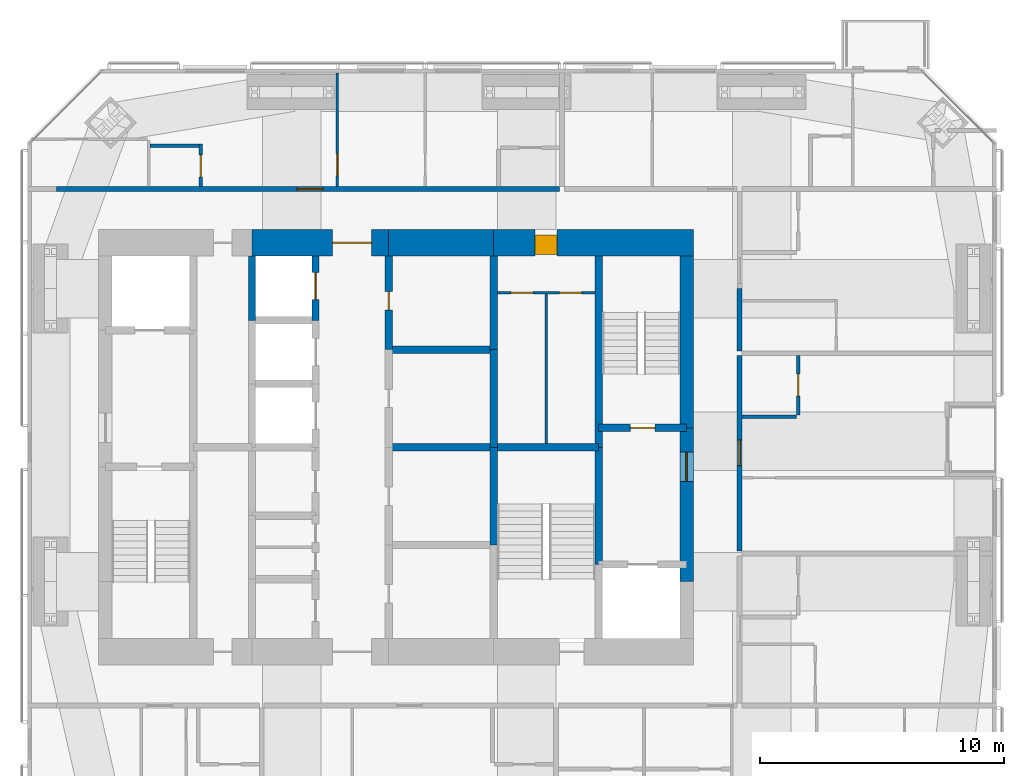
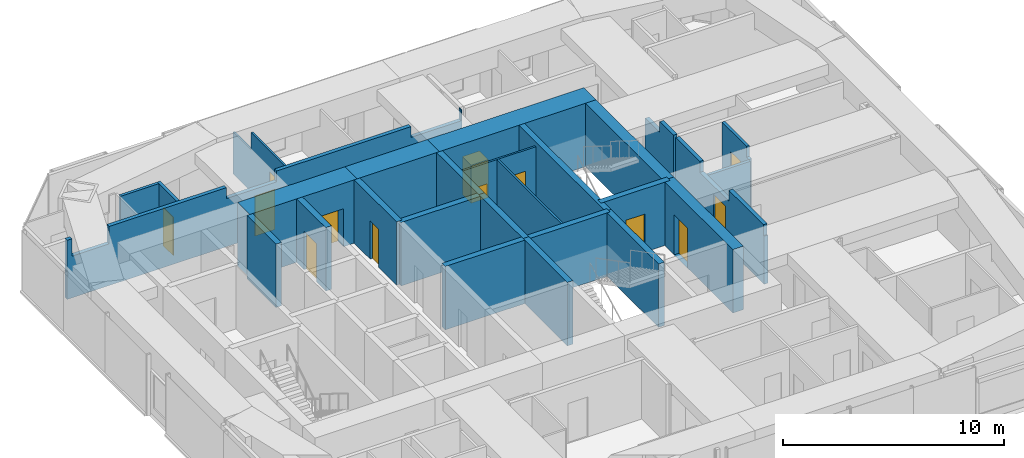
# One storey, part 16 of 19: 27 walls, 13 doors, 13 openings.
"""IFC4 building model written with IfcOpenShell, lengths in metres."""

from ifc_helpers import new_model, si_unit, direction, frame, frame_2d, origin, place, context, subcontext, project, spatial, polyline, rectangle, outline, extrude, material, layer, layer_set, constituent, constituent_set, type_object, element, fill, save


model = new_model("IFC4")

# Units and contexts
model_context = context("Model", 3, precision=1e-05, world=origin(), true_north=direction((0.0, 1.0)))
body_context = subcontext(model_context, "Body", "Model", "MODEL_VIEW")
ifc_project = project(units=[si_unit("LENGTHUNIT", "METRE"), si_unit("AREAUNIT", "SQUARE_METRE"), si_unit("VOLUMEUNIT", "CUBIC_METRE"), si_unit("PLANEANGLEUNIT", "RADIAN"), si_unit("MASSUNIT", "GRAM", prefix="KILO")], contexts=[model_context])

# Site, building, storey
site_placement = place(None, origin())
site = spatial("IfcSite", under=ifc_project, at=site_placement, CompositionType="ELEMENT")
building_placement = place(site_placement, origin())
building = spatial("IfcBuilding", under=site, at=building_placement, Name="Jalousie Tower", CompositionType="ELEMENT")
storey_placement = place(building_placement, frame((0.0, 0.0, 221.449951171875)))
storey = spatial("IfcBuildingStorey", under=building, at=storey_placement, Name="L60", CompositionType="ELEMENT", Elevation=221.449951171875)

# Wall, opening, door
ifc_material_1 = material(Name="Concrete block ASTM C90", Category="concrete")
ifc_constituent_1 = constituent(ifc_material_1, Name="Body")
ifc_material_2 = material(Name="Render")
ifc_constituent_2 = constituent(ifc_material_2, Name="Finish")
ifc_constituent_set_1 = constituent_set(constituents=[ifc_constituent_1, ifc_constituent_2])
wall_type_1 = type_object("IfcWallType", Name="BATHROOM WALL 150", PredefinedType="PLUMBINGWALL", material=ifc_constituent_set_1)
wall_1_placement = place(storey_placement, frame((48.375, 19.824951171875, 0.0), z_axis=(0.0, 0.0, 1.0), x_axis=(0.0, 1.0, 0.0)))
wall_1 = element("IfcWall", 1, at=wall_1_placement, inside=storey, type_object=wall_type_1, Name="Bathroom Wall 150 L60", PredefinedType="PLUMBINGWALL", context=body_context, shape_type="SweptSolid", body=[
    extrude(outline(polyline([(0.0, 0.0), (2.425048828125, 0.0), (2.425048828125, 3.260009765625), (0.2099609375, 3.260009765625), (0.2099609375, 2.66015625), (0.0, 2.66015625), (0.0, 3.260009765625), (0.0, 0.0)])), frame((0.0, 0.074951171875, 0.0), z_axis=(0.0, -1.0, 0.0), x_axis=(1.0, 0.0, 0.0)), (0.0, 0.0, 1.0), 0.14990234375),
])
opening_1_placement = place(wall_1_placement, frame((0.77490234375, 0.0, 0.0)))
opening_1 = element("IfcOpeningElement", 2, at=opening_1_placement, cuts=wall_1, Name="Opening D3", PredefinedType="OPENING", context=body_context, shape_type="SweptSolid", body=[
    extrude(rectangle(XDim=0.89990234375, YDim=2.10009765625, at=frame_2d((0.449951171875, 1.050048828125))), frame((0.0, 0.0849609375, 0.0), z_axis=(0.0, -1.0, 0.0), x_axis=(1.0, 0.0, 0.0)), (0.0, 0.0, 1.0), 0.169921875),
])
ifc_material_3 = material(Name="Timber door", Category="wood")
door_type_1 = type_object("IfcDoorType", Name="BATHROOM DOOR 900", OperationType="SINGLE_SWING_LEFT", PredefinedType="DOOR", material=ifc_material_3)
door_1_placement = place(opening_1_placement, origin())
door_1 = element("IfcDoor", 3, at=door_1_placement, inside=storey, type_object=door_type_1, Name="Apartment 6007 bathroom door", OperationType="SINGLE_SWING_RIGHT", OverallHeight=2.10009765625, OverallWidth=0.89990234375, PredefinedType="DOOR", context=body_context, shape_type="SweptSolid", body=[
    extrude(rectangle(XDim=0.89990234375, YDim=2.10009765625, at=frame_2d((0.449951171875, 1.050048828125))), frame((0.0, 0.02490234375, 0.0), z_axis=(0.0, -1.0, 0.0), x_axis=(1.0, 0.0, 0.0)), (0.0, 0.0, 1.0), 0.050048828125),
])
fill(opening_1, door_1)

# Wall
wall_2_placement = place(storey_placement, frame((48.300048828125, 19.75, 0.0), z_axis=(0.0, 0.0, 1.0), x_axis=(-1.0, 0.0, 0.0)))
element("IfcWall", 4, at=wall_2_placement, inside=storey, type_object=wall_type_1, Name="Bathroom Wall 150 L60", PredefinedType="PLUMBINGWALL", context=body_context, shape_type="SweptSolid", body=[
    extrude(outline(polyline([(0.0, 0.0), (2.22509765625, 0.0), (2.22509765625, 3.260009765625), (2.22509765625, 2.66015625), (0.0, 2.66015625), (0.0, 3.260009765625), (0.0, 0.0)])), frame((0.0, 0.074951171875, 0.0), z_axis=(0.0, -1.0, 0.0), x_axis=(1.0, 0.0, 0.0)), (0.0, 0.0, 1.0), 0.14990234375),
])

# Wall, opening, door
wall_3_placement = place(storey_placement, frame((23.89990234375, 29.175048828125, 0.0), z_axis=(0.0, 0.0, 1.0), x_axis=(0.0, 1.0, 0.0)))
wall_3 = element("IfcWall", 5, at=wall_3_placement, inside=storey, type_object=wall_type_1, Name="Bathroom Wall 150 L60", PredefinedType="PLUMBINGWALL", context=body_context, shape_type="SweptSolid", body=[
    extrude(rectangle(XDim=1.75, YDim=0.14990234375, at=frame_2d((0.875, 0.0))), origin(), (0.0, 0.0, 1.0), 3.260009765625),
])
opening_2_placement = place(wall_3_placement, frame((0.39990234375, 0.0, 0.0)))
opening_2 = element("IfcOpeningElement", 6, at=opening_2_placement, cuts=wall_3, Name="Opening D7", PredefinedType="OPENING", context=body_context, shape_type="SweptSolid", body=[
    extrude(rectangle(XDim=0.89990234375, YDim=2.10009765625, at=frame_2d((0.449951171875, 1.050048828125))), frame((0.0, 0.0849609375, 0.0), z_axis=(0.0, -1.0, 0.0), x_axis=(1.0, 0.0, 0.0)), (0.0, 0.0, 1.0), 0.169921875),
])
ifc_material_4 = material(Name="Timber door", Category="wood")
door_type_2 = type_object("IfcDoorType", Name="INTERNAL DOOR 900", OperationType="SINGLE_SWING_LEFT", PredefinedType="DOOR", material=ifc_material_4)
door_2_placement = place(opening_2_placement, origin())
door_2 = element("IfcDoor", 7, at=door_2_placement, inside=storey, type_object=door_type_2, Name="Apartment 6004 guest WC door", OperationType="SINGLE_SWING_RIGHT", OverallHeight=2.10009765625, OverallWidth=0.89990234375, PredefinedType="DOOR", context=body_context, shape_type="SweptSolid", body=[
    extrude(rectangle(XDim=0.89990234375, YDim=2.10009765625, at=frame_2d((0.449951171875, 1.050048828125))), frame((0.0, 0.02490234375, 0.0), z_axis=(0.0, -1.0, 0.0), x_axis=(1.0, 0.0, 0.0)), (0.0, 0.0, 1.0), 0.050048828125),
])
fill(opening_2, door_2)

# Wall
wall_4_placement = place(storey_placement, frame((21.824951171875, 30.85009765625, 0.0), z_axis=(0.0, 0.0, 1.0), x_axis=(1.0, 0.0, 0.0)))
element("IfcWall", 8, at=wall_4_placement, inside=storey, type_object=wall_type_1, Name="Bathroom Wall 150 L60", PredefinedType="PLUMBINGWALL", context=body_context, shape_type="SweptSolid", body=[
    extrude(rectangle(XDim=2.0, YDim=0.14990234375, at=frame_2d((1.0, 0.0))), origin(), (0.0, 0.0, 1.0), 3.260009765625),
])

# Wall, opening, door
ifc_material_5 = material(Name="Concrete f'c 120 MPa", Category="concrete")
ifc_layer_1 = layer(ifc_material_5, 1.10009765625)
ifc_layer_set_1 = layer_set([ifc_layer_1], Name="Concrete f'c 120 MPa")
wall_type_2 = type_object("IfcWallType", Name="CORE WALL 1100", PredefinedType="SHEAR", material=ifc_layer_set_1)
wall_5_placement = place(storey_placement, frame((44.074951171875, 26.875, 0.0), z_axis=(0.0, 0.0, 1.0), x_axis=(-1.0, 0.0, 0.0)))
wall_5 = element("IfcWall", 9, at=wall_5_placement, inside=storey, type_object=wall_type_2, Name="Core wall NA L60", PredefinedType="SHEAR", context=body_context, shape_type="SweptSolid", body=[
    extrude(rectangle(XDim=8.175048828125, YDim=1.10009765625, at=frame_2d((4.08740234375, 0.0))), origin(), (0.0, 0.0, 1.0), 3.5),
])
opening_3_placement = place(wall_5_placement, frame((5.574951171875, 0.0, 0.0)))
opening_3 = element("IfcOpeningElement", 10, at=opening_3_placement, cuts=wall_5, Name="Opening D25", PredefinedType="OPENING", context=body_context, shape_type="SweptSolid", body=[
    extrude(rectangle(XDim=0.89990234375, YDim=2.10009765625, at=frame_2d((0.449951171875, 1.050048828125))), frame((0.0, 0.56005859375, 0.0), z_axis=(0.0, -1.0, 0.0), x_axis=(1.0, 0.0, 0.0)), (0.0, 0.0, 1.0), 1.1201171875),
])
ifc_material_6 = material(Name="Steel fire door", Category="steel")
door_type_3 = type_object("IfcDoorType", Name="SERVICE LOBBY DOOR 900", OperationType="SINGLE_SWING_LEFT", PredefinedType="DOOR", material=ifc_material_6)
door_3_placement = place(opening_3_placement, origin())
door_3 = element("IfcDoor", 11, at=door_3_placement, inside=storey, type_object=door_type_3, Name="Service lobby door", OperationType="SINGLE_SWING_LEFT", OverallHeight=2.10009765625, OverallWidth=0.89990234375, PredefinedType="DOOR", context=body_context, shape_type="SweptSolid", body=[
    extrude(rectangle(XDim=0.89990234375, YDim=2.10009765625, at=frame_2d((0.449951171875, 1.050048828125))), frame((0.0, 0.47021484375, 0.0), z_axis=(0.0, -1.0, 0.0), x_axis=(1.0, 0.0, 0.0)), (0.0, 0.0, 1.0), 0.800048828125),
])
fill(opening_3, door_3)

# Wall
wall_6_placement = place(storey_placement, frame((35.89990234375, 26.875, 0.0), z_axis=(0.0, 0.0, 1.0), x_axis=(-1.0, 0.0, 0.0)))
element("IfcWall", 12, at=wall_6_placement, inside=storey, type_object=wall_type_2, Name="Core wall NB L60", PredefinedType="SHEAR", context=body_context, shape_type="SweptSolid", body=[
    extrude(rectangle(XDim=4.2998046875, YDim=1.10009765625, at=frame_2d((2.14990234375, 0.0))), origin(), (0.0, 0.0, 1.0), 3.5),
])

# Wall, opening, door
wall_7_placement = place(storey_placement, frame((31.60009765625, 26.875, 0.0), z_axis=(0.0, 0.0, 1.0), x_axis=(-1.0, 0.0, 0.0)))
wall_7 = element("IfcWall", 13, at=wall_7_placement, inside=storey, type_object=wall_type_2, Name="Core wall NC L60", PredefinedType="SHEAR", context=body_context, shape_type="SweptSolid", body=[
    extrude(rectangle(XDim=5.60009765625, YDim=1.10009765625, at=frame_2d((2.800048828125, 0.0))), origin(), (0.0, 0.0, 1.0), 3.5),
])
opening_4_placement = place(wall_7_placement, frame((0.699951171875, 0.0, 0.0)))
opening_4 = element("IfcOpeningElement", 14, at=opening_4_placement, cuts=wall_7, Name="Opening D15", PredefinedType="OPENING", context=body_context, shape_type="SweptSolid", body=[
    extrude(rectangle(XDim=1.60009765625, YDim=2.10009765625, at=frame_2d((0.800048828125, 1.050048828125))), frame((0.0, 0.56005859375, 0.0), z_axis=(0.0, -1.0, 0.0), x_axis=(1.0, 0.0, 0.0)), (0.0, 0.0, 1.0), 1.1201171875),
])
ifc_material_7 = material(Name="Steel fire door", Category="steel")
door_type_4 = type_object("IfcDoorType", Name="LIFT LOBBY DOOR 1600", OperationType="DOUBLE_DOOR_SINGLE_SWING", PredefinedType="DOOR", material=ifc_material_7)
door_4_placement = place(opening_4_placement, origin())
door_4 = element("IfcDoor", 15, at=door_4_placement, inside=storey, type_object=door_type_4, Name="Lift lobby north door", OperationType="DOUBLE_DOOR_SINGLE_SWING", OverallHeight=2.10009765625, OverallWidth=1.60009765625, PredefinedType="DOOR", context=body_context, shape_type="SweptSolid", body=[
    extrude(rectangle(XDim=1.60009765625, YDim=2.10009765625, at=frame_2d((0.800048828125, 1.050048828125))), frame((0.0, 0.02490234375, 0.0), z_axis=(0.0, -1.0, 0.0), x_axis=(1.0, 0.0, 0.0)), (0.0, 0.0, 1.0), 0.050048828125),
])
fill(opening_4, door_4)

# Wall
ifc_material_8 = material(Name="Concrete f'c 120 MPa", Category="concrete")
ifc_layer_2 = layer(ifc_material_8, 0.300048828125)
ifc_layer_set_2 = layer_set([ifc_layer_2], Name="Concrete f'c 120 MPa")
wall_type_3 = type_object("IfcWallType", Name="CORE WALL 300", PredefinedType="SHEAR", material=ifc_layer_set_2)
wall_8_placement = place(storey_placement, frame((26.0, 23.699951171875, 0.0), z_axis=(0.0, 0.0, 1.0), x_axis=(0.0, 1.0, 0.0)))
element("IfcWall", 16, at=wall_8_placement, inside=storey, type_object=wall_type_3, Name="Core wall X26F L60", PredefinedType="SHEAR", context=body_context, shape_type="SweptSolid", body=[
    extrude(rectangle(XDim=2.625, YDim=0.300048828125, at=frame_2d((1.3125, 0.0))), origin(), (0.0, 0.0, 1.0), 3.5),
])

# Wall, opening, door
wall_9_placement = place(storey_placement, frame((28.60009765625, 23.699951171875, 0.0), z_axis=(0.0, 0.0, 1.0), x_axis=(0.0, 1.0, 0.0)))
wall_9 = element("IfcWall", 17, at=wall_9_placement, inside=storey, type_object=wall_type_3, Name="Core wall X28.6F L60", PredefinedType="SHEAR", context=body_context, shape_type="SweptSolid", body=[
    extrude(rectangle(XDim=2.625, YDim=0.300048828125, at=frame_2d((1.3125, 0.0))), origin(), (0.0, 0.0, 1.0), 3.5),
])
opening_5_placement = place(wall_9_placement, frame((0.85009765625, 0.0, 0.0)))
opening_5 = element("IfcOpeningElement", 18, at=opening_5_placement, cuts=wall_9, Name="Opening LD1", PredefinedType="OPENING", context=body_context, shape_type="SweptSolid", body=[
    extrude(rectangle(XDim=1.10009765625, YDim=2.10009765625, at=frame_2d((0.550048828125, 1.050048828125))), frame((0.0, 0.159912109375, 0.0), z_axis=(0.0, -1.0, 0.0), x_axis=(1.0, 0.0, 0.0)), (0.0, 0.0, 1.0), 0.320068359375),
])
ifc_material_9 = material(Name="Steel lift landing door", Category="steel")
door_type_5 = type_object("IfcDoorType", Name="LIFT LANDING DOOR 1100", OperationType="SLIDING_TO_LEFT", PredefinedType="DOOR", material=ifc_material_9)
door_5_placement = place(opening_5_placement, origin())
door_5 = element("IfcDoor", 19, at=door_5_placement, inside=storey, type_object=door_type_5, Name="Lift P6 landing door", OperationType="SLIDING_TO_LEFT", OverallHeight=2.10009765625, OverallWidth=1.10009765625, PredefinedType="DOOR", context=body_context, shape_type="SweptSolid", body=[
    extrude(rectangle(XDim=1.10009765625, YDim=2.10009765625, at=frame_2d((0.550048828125, 1.050048828125))), frame((0.0, 0.02490234375, 0.0), z_axis=(0.0, -1.0, 0.0), x_axis=(1.0, 0.0, 0.0)), (0.0, 0.0, 1.0), 0.050048828125),
])
fill(opening_5, door_5)

wall_10_placement = place(storey_placement, frame((31.60009765625, 22.5, 0.0), z_axis=(0.0, 0.0, 1.0), x_axis=(0.0, 1.0, 0.0)))
wall_10 = element("IfcWall", 20, at=wall_10_placement, inside=storey, type_object=wall_type_3, Name="Core wall X31.6D L60", PredefinedType="SHEAR", context=body_context, shape_type="SweptSolid", body=[
    extrude(rectangle(XDim=3.824951171875, YDim=0.300048828125, at=frame_2d((1.91259765625, 0.0))), origin(), (0.0, 0.0, 1.0), 3.5),
])
opening_6_placement = place(wall_10_placement, frame((1.625, 0.0, 0.0)))
opening_6 = element("IfcOpeningElement", 21, at=opening_6_placement, cuts=wall_10, Name="Opening D16", PredefinedType="OPENING", context=body_context, shape_type="SweptSolid", body=[
    extrude(rectangle(XDim=0.75, YDim=2.10009765625, at=frame_2d((0.375, 1.050048828125))), frame((0.0, 0.159912109375, 0.0), z_axis=(0.0, -1.0, 0.0), x_axis=(1.0, 0.0, 0.0)), (0.0, 0.0, 1.0), 0.320068359375),
])
ifc_material_10 = material(Name="Steel fire door", Category="steel")
door_type_6 = type_object("IfcDoorType", Name="RISER DOOR 750", OperationType="SINGLE_SWING_LEFT", PredefinedType="DOOR", material=ifc_material_10)
door_6_placement = place(opening_6_placement, frame((0.75, 0.0, 0.0), z_axis=(0.0, 0.0, 1.0), x_axis=(-1.0, 0.0, 0.0)))
door_6 = element("IfcDoor", 22, at=door_6_placement, inside=storey, type_object=door_type_6, Name="Water Services Room door", OperationType="SINGLE_SWING_LEFT", OverallHeight=2.10009765625, OverallWidth=0.75, PredefinedType="DOOR", context=body_context, shape_type="SweptSolid", body=[
    extrude(rectangle(XDim=0.75, YDim=2.10009765625, at=frame_2d((0.375, 1.050048828125))), frame((0.0, 0.02490234375, 0.0), z_axis=(0.0, -1.0, 0.0), x_axis=(1.0, 0.0, 0.0)), (0.0, 0.0, 1.0), 0.050048828125),
])
fill(opening_6, door_6)

# Walls
for number, where, z_axis, x_axis, name in (
    (23, (35.89990234375, 14.5, 0.0), (0.0, 0.0, 1.0), (0.0, 1.0, 0.0), "Core wall X35.9B L60"),
    (24, (35.89990234375, 18.5, 0.0), (0.0, 0.0, 1.0), (0.0, 1.0, 0.0), "Core wall X35.9C L60"),
):
    element("IfcWall", number, at=place(storey_placement, frame(where, z_axis=z_axis, x_axis=x_axis)), inside=storey, type_object=wall_type_3, Name=name, PredefinedType="SHEAR", context=body_context, shape_type="SweptSolid", body=[
        extrude(rectangle(XDim=4.0, YDim=0.300048828125, at=frame_2d((2.0, 0.0))), origin(), (0.0, 0.0, 1.0), 3.5),
    ])
wall_11_placement = place(storey_placement, frame((35.89990234375, 22.5, 0.0), z_axis=(0.0, 0.0, 1.0), x_axis=(0.0, 1.0, 0.0)))
element("IfcWall", 25, at=wall_11_placement, inside=storey, type_object=wall_type_3, Name="Core wall X35.9D L60", PredefinedType="SHEAR", context=body_context, shape_type="SweptSolid", body=[
    extrude(rectangle(XDim=3.824951171875, YDim=0.300048828125, at=frame_2d((1.91259765625, 0.0))), origin(), (0.0, 0.0, 1.0), 3.5),
])
wall_12_placement = place(storey_placement, frame((40.199951171875, 13.699951171875, 0.0), z_axis=(0.0, 0.0, 1.0), x_axis=(0.0, 1.0, 0.0)))
element("IfcWall", 26, at=wall_12_placement, inside=storey, type_object=wall_type_3, Name="Core wall X40.2B L60", PredefinedType="SHEAR", context=body_context, shape_type="SweptSolid", body=[
    extrude(rectangle(XDim=4.800048828125, YDim=0.300048828125, at=frame_2d((2.39990234375, 0.0))), origin(), (0.0, 0.0, 1.0), 3.5),
])
wall_13_placement = place(storey_placement, frame((40.199951171875, 18.5, 0.0), z_axis=(0.0, 0.0, 1.0), x_axis=(0.0, 1.0, 0.0)))
element("IfcWall", 27, at=wall_13_placement, inside=storey, type_object=wall_type_3, Name="Core wall X40.2C L60", PredefinedType="SHEAR", context=body_context, shape_type="SweptSolid", body=[
    extrude(rectangle(XDim=7.824951171875, YDim=0.300048828125, at=frame_2d((3.91259765625, 0.0))), origin(), (0.0, 0.0, 1.0), 3.5),
])
for number, where, z_axis, x_axis, name in (
    (28, (31.60009765625, 18.5, 0.0), (0.0, 0.0, 1.0), (1.0, 0.0, 0.0), "Core wall Y31.6-18.5 L60"),
    (29, (31.60009765625, 22.5, 0.0), (0.0, 0.0, 1.0), (1.0, 0.0, 0.0), "Core wall Y31.6-22.5 L60"),
):
    element("IfcWall", number, at=place(storey_placement, frame(where, z_axis=z_axis, x_axis=x_axis)), inside=storey, type_object=wall_type_3, Name=name, PredefinedType="SHEAR", context=body_context, shape_type="SweptSolid", body=[
        extrude(rectangle(XDim=4.2998046875, YDim=0.300048828125, at=frame_2d((2.14990234375, 0.0))), origin(), (0.0, 0.0, 1.0), 3.5),
    ])
wall_14_placement = place(storey_placement, frame((35.89990234375, 18.5, 0.0), z_axis=(0.0, 0.0, 1.0), x_axis=(1.0, 0.0, 0.0)))
element("IfcWall", 30, at=wall_14_placement, inside=storey, type_object=wall_type_3, Name="Core wall Y35.9-18.5 L60", PredefinedType="SHEAR", context=body_context, shape_type="SweptSolid", body=[
    extrude(rectangle(XDim=4.300048828125, YDim=0.300048828125, at=frame_2d((2.14990234375, 0.0))), origin(), (0.0, 0.0, 1.0), 3.5),
])

# Wall, opening, door
wall_15_placement = place(storey_placement, frame((40.199951171875, 19.300048828125, 0.0), z_axis=(0.0, 0.0, 1.0), x_axis=(1.0, 0.0, 0.0)))
wall_15 = element("IfcWall", 31, at=wall_15_placement, inside=storey, type_object=wall_type_3, Name="Core wall Y40.2-19.3 L60", PredefinedType="SHEAR", context=body_context, shape_type="SweptSolid", body=[
    extrude(rectangle(XDim=3.60009765625, YDim=0.300048828125, at=frame_2d((1.800048828125, 0.0))), origin(), (0.0, 0.0, 1.0), 3.5),
])
opening_7_placement = place(wall_15_placement, frame((1.300048828125, 0.0, 0.0)))
opening_7 = element("IfcOpeningElement", 32, at=opening_7_placement, cuts=wall_15, Name="Opening D10", PredefinedType="OPENING", context=body_context, shape_type="SweptSolid", body=[
    extrude(rectangle(XDim=1.0, YDim=2.10009765625, at=frame_2d((0.5, 1.050048828125))), frame((0.0, 0.159912109375, 0.0), z_axis=(0.0, -1.0, 0.0), x_axis=(1.0, 0.0, 0.0)), (0.0, 0.0, 1.0), 0.320068359375),
])
ifc_material_11 = material(Name="Steel fire door", Category="steel")
door_type_7 = type_object("IfcDoorType", Name="STAIR DOOR 1000", OperationType="SINGLE_SWING_LEFT", PredefinedType="DOOR", material=ifc_material_11)
door_7_placement = place(opening_7_placement, origin())
door_7 = element("IfcDoor", 33, at=door_7_placement, inside=storey, type_object=door_type_7, Name="Exit stair B door", OperationType="SINGLE_SWING_RIGHT", OverallHeight=2.10009765625, OverallWidth=1.0, PredefinedType="DOOR", context=body_context, shape_type="SweptSolid", body=[
    extrude(rectangle(XDim=1.0, YDim=2.10009765625, at=frame_2d((0.5, 1.050048828125))), frame((0.0, 0.02490234375, 0.0), z_axis=(0.0, -1.0, 0.0), x_axis=(1.0, 0.0, 0.0)), (0.0, 0.0, 1.0), 0.050048828125),
])
fill(opening_7, door_7)

ifc_material_12 = material(Name="Concrete f'c 120 MPa", Category="concrete")
ifc_layer_3 = layer(ifc_material_12, 0.550048828125)
ifc_layer_set_3 = layer_set([ifc_layer_3], Name="Concrete f'c 120 MPa")
wall_type_4 = type_object("IfcWallType", Name="CORE WALL 550", PredefinedType="SHEAR", material=ifc_layer_set_3)
wall_16_placement = place(storey_placement, frame((43.800048828125, 13.0, 0.0), z_axis=(0.0, 0.0, 1.0), x_axis=(0.0, 1.0, 0.0)))
wall_16 = element("IfcWall", 34, at=wall_16_placement, inside=storey, type_object=wall_type_4, Name="Core wall EB L60", PredefinedType="SHEAR", context=body_context, shape_type="SweptSolid", body=[
    extrude(rectangle(XDim=6.300048828125, YDim=0.550048828125, at=frame_2d((3.14990234375, 0.0))), origin(), (0.0, 0.0, 1.0), 3.5),
])
opening_8_placement = place(wall_16_placement, frame((4.10009765625, 0.0, 0.0)))
opening_8 = element("IfcOpeningElement", 35, at=opening_8_placement, cuts=wall_16, Name="Opening D11", PredefinedType="OPENING", context=body_context, shape_type="SweptSolid", body=[
    extrude(rectangle(XDim=1.199951171875, YDim=2.199951171875, at=frame_2d((0.60009765625, 1.10009765625))), frame((0.0, 0.284912109375, 0.0), z_axis=(0.0, -1.0, 0.0), x_axis=(1.0, 0.0, 0.0)), (0.0, 0.0, 1.0), 0.570068359375),
])
ifc_material_13 = material(Name="Steel fire door", Category="steel")
door_type_8 = type_object("IfcDoorType", Name="FIRE DOOR 1200", OperationType="SINGLE_SWING_LEFT", PredefinedType="DOOR", material=ifc_material_13)
door_8_placement = place(opening_8_placement, origin())
door_8 = element("IfcDoor", 36, at=door_8_placement, inside=storey, type_object=door_type_8, Name="Fire-fighting lobby B door", OperationType="SINGLE_SWING_RIGHT", OverallHeight=2.199951171875, OverallWidth=1.199951171875, PredefinedType="DOOR", context=body_context, shape_type="SweptSolid", body=[
    extrude(rectangle(XDim=1.199951171875, YDim=2.199951171875, at=frame_2d((0.60009765625, 1.10009765625))), frame((0.0, 0.02490234375, 0.0), z_axis=(0.0, -1.0, 0.0), x_axis=(1.0, 0.0, 0.0)), (0.0, 0.0, 1.0), 0.050048828125),
])
fill(opening_8, door_8)

# Wall
wall_17_placement = place(storey_placement, frame((43.800048828125, 19.300048828125, 0.0), z_axis=(0.0, 0.0, 1.0), x_axis=(0.0, 1.0, 0.0)))
element("IfcWall", 37, at=wall_17_placement, inside=storey, type_object=wall_type_4, Name="Core wall EC L60", PredefinedType="SHEAR", context=body_context, shape_type="SweptSolid", body=[
    extrude(rectangle(XDim=7.02490234375, YDim=0.550048828125, at=frame_2d((3.512451171875, 0.0))), origin(), (0.0, 0.0, 1.0), 3.5),
])

# Wall, opening, door
ifc_material_14 = material(Name="Concrete block ASTM C90", Category="concrete")
ifc_constituent_3 = constituent(ifc_material_14, Name="Body")
ifc_material_15 = material(Name="Render")
ifc_constituent_4 = constituent(ifc_material_15, Name="Finish")
ifc_constituent_set_2 = constituent_set(constituents=[ifc_constituent_3, ifc_constituent_4])
wall_type_5 = type_object("IfcWallType", Name="CORRIDOR WALL 200", PredefinedType="PARTITIONING", material=ifc_constituent_set_2)
wall_18_placement = place(storey_placement, frame((18.0, 29.074951171875, 0.0), z_axis=(0.0, 0.0, 1.0), x_axis=(1.0, 0.0, 0.0)))
wall_18 = element("IfcWall", 38, at=wall_18_placement, inside=storey, type_object=wall_type_5, Name="Corridor Wall 200 L60", PredefinedType="PARTITIONING", context=body_context, shape_type="SweptSolid", body=[
    extrude(outline(polyline([(0.0, 0.0), (20.60009765625, 0.0), (20.60009765625, 3.260009765625), (20.56005859375, 3.260009765625), (20.56005859375, 2.66015625), (17.93994140625, 2.66015625), (17.93994140625, 3.260009765625), (10.93505859375, 3.260009765625), (10.93505859375, 2.66015625), (8.31494140625, 2.66015625), (8.31494140625, 3.260009765625), (2.191650390625, 3.260009765625), (2.191650390625, 2.300048828125), (0.25634765625, 2.300048828125), (0.25634765625, 3.260009765625), (0.0, 3.260009765625), (0.0, 0.0)])), frame((0.0, 0.10009765625, 0.0), z_axis=(0.0, -1.0, 0.0), x_axis=(1.0, 0.0, 0.0)), (0.0, 0.0, 1.0), 0.199951171875),
])
opening_9_placement = place(wall_18_placement, frame((9.85009765625, 0.0, 0.0)))
opening_9 = element("IfcOpeningElement", 39, at=opening_9_placement, cuts=wall_18, Name="Opening D1", PredefinedType="OPENING", context=body_context, shape_type="SweptSolid", body=[
    extrude(rectangle(XDim=1.050048828125, YDim=2.199951171875, at=frame_2d((0.52490234375, 1.10009765625))), frame((0.0, 0.10986328125, 0.0), z_axis=(0.0, -1.0, 0.0), x_axis=(1.0, 0.0, 0.0)), (0.0, 0.0, 1.0), 0.219970703125),
])
ifc_material_16 = material(Name="Timber fire door", Category="wood")
door_type_9 = type_object("IfcDoorType", Name="APARTMENT ENTRANCE DOOR 1050", OperationType="SINGLE_SWING_LEFT", PredefinedType="DOOR", material=ifc_material_16)
door_9_placement = place(opening_9_placement, origin())
door_9 = element("IfcDoor", 40, at=door_9_placement, inside=storey, type_object=door_type_9, Name="Apartment 6004 entrance", OperationType="SINGLE_SWING_RIGHT", OverallHeight=2.199951171875, OverallWidth=1.050048828125, PredefinedType="DOOR", context=body_context, shape_type="SweptSolid", body=[
    extrude(rectangle(XDim=1.050048828125, YDim=2.199951171875, at=frame_2d((0.52490234375, 1.10009765625))), frame((0.0, 0.02490234375, 0.0), z_axis=(0.0, -1.0, 0.0), x_axis=(1.0, 0.0, 0.0)), (0.0, 0.0, 1.0), 0.050048828125),
])
fill(opening_9, door_9)

wall_19_placement = place(storey_placement, frame((45.97509765625, 14.25, 0.0), z_axis=(0.0, 0.0, 1.0), x_axis=(0.0, 1.0, 0.0)))
wall_19 = element("IfcWall", 41, at=wall_19_placement, inside=storey, type_object=wall_type_5, Name="Corridor Wall 200 L60", PredefinedType="PARTITIONING", context=body_context, shape_type="SweptSolid", body=[
    extrude(outline(polyline([(0.0, 0.0), (8.0, 0.0), (8.0, 3.260009765625), (5.81005859375, 3.260009765625), (5.81005859375, 2.66015625), (3.18994140625, 2.66015625), (3.18994140625, 3.260009765625), (0.06005859375, 3.260009765625), (0.06005859375, 2.66015625), (0.0, 2.66015625), (0.0, 3.260009765625), (0.0, 0.0)])), frame((0.0, 0.10009765625, 0.0), z_axis=(0.0, -1.0, 0.0), x_axis=(1.0, 0.0, 0.0)), (0.0, 0.0, 1.0), 0.199951171875),
])
opening_10_placement = place(wall_19_placement, frame((3.5, 0.0, 0.0)))
opening_10 = element("IfcOpeningElement", 42, at=opening_10_placement, cuts=wall_19, Name="Opening D1", PredefinedType="OPENING", context=body_context, shape_type="SweptSolid", body=[
    extrude(rectangle(XDim=1.050048828125, YDim=2.199951171875, at=frame_2d((0.52490234375, 1.10009765625))), frame((0.0, 0.10986328125, 0.0), z_axis=(0.0, -1.0, 0.0), x_axis=(1.0, 0.0, 0.0)), (0.0, 0.0, 1.0), 0.219970703125),
])
door_10_placement = place(opening_10_placement, frame((1.050048828125, 0.0, 0.0), z_axis=(0.0, 0.0, 1.0), x_axis=(-1.0, 0.0, 0.0)))
door_10 = element("IfcDoor", 43, at=door_10_placement, inside=storey, type_object=door_type_9, Name="Apartment 6007 entrance", OperationType="SINGLE_SWING_RIGHT", OverallHeight=2.199951171875, OverallWidth=1.050048828125, PredefinedType="DOOR", context=body_context, shape_type="SweptSolid", body=[
    extrude(rectangle(XDim=1.050048828125, YDim=2.199951171875, at=frame_2d((0.52490234375, 1.10009765625))), frame((0.0, 0.02490234375, 0.0), z_axis=(0.0, -1.0, 0.0), x_axis=(1.0, 0.0, 0.0)), (0.0, 0.0, 1.0), 0.050048828125),
])
fill(opening_10, door_10)

# Wall
wall_20_placement = place(storey_placement, frame((45.97509765625, 22.449951171875, 0.0), z_axis=(0.0, 0.0, 1.0), x_axis=(0.0, 1.0, 0.0)))
element("IfcWall", 44, at=wall_20_placement, inside=storey, type_object=wall_type_5, Name="Corridor Wall 200 L60-A", PredefinedType="PARTITIONING", context=body_context, shape_type="SweptSolid", body=[
    extrude(outline(polyline([(0.0, 0.0), (2.550048828125, 0.0), (2.550048828125, 2.66015625), (1.239990234375, 2.66015625), (1.239990234375, 3.260009765625), (0.0, 3.260009765625), (0.0, 0.0)])), frame((0.0, 0.10009765625, 0.0), z_axis=(0.0, -1.0, 0.0), x_axis=(1.0, 0.0, 0.0)), (0.0, 0.0, 1.0), 0.199951171875),
])

# Wall, opening, door
ifc_material_17 = material(Name="Gypsum board", Category="gypsum")
ifc_constituent_5 = constituent(ifc_material_17, Name="Body")
ifc_material_18 = material(Name="Light-gauge steel studs ASTM A653 SS Grade 33", Category="steel")
ifc_constituent_6 = constituent(ifc_material_18, Name="Framing")
ifc_constituent_set_3 = constituent_set(constituents=[ifc_constituent_5, ifc_constituent_6])
wall_type_6 = type_object("IfcWallType", Name="PARTITION 100", PredefinedType="PARTITIONING", material=ifc_constituent_set_3)
wall_21_placement = place(storey_placement, frame((29.5, 33.824951171875, 0.0), z_axis=(0.0, 0.0, 1.0), x_axis=(0.0, -1.0, 0.0)))
wall_21 = element("IfcWall", 45, at=wall_21_placement, inside=storey, type_object=wall_type_6, Name="Partition 100 L60", PredefinedType="PARTITIONING", context=body_context, shape_type="SweptSolid", body=[
    extrude(outline(polyline([(0.0, 0.0), (4.64990234375, 0.0), (4.64990234375, 3.260009765625), (1.635009765625, 3.260009765625), (1.635009765625, 2.300048828125), (0.0, 2.300048828125), (0.0, 3.260009765625), (0.0, 0.0)])), frame((0.0, 0.050048828125, 0.0), z_axis=(0.0, -1.0, 0.0), x_axis=(1.0, 0.0, 0.0)), (0.0, 0.0, 1.0), 0.10009765625),
])
opening_11_placement = place(wall_21_placement, frame((3.300048828125, 0.0, 0.0)))
opening_11 = element("IfcOpeningElement", 46, at=opening_11_placement, cuts=wall_21, Name="Opening D2", PredefinedType="OPENING", context=body_context, shape_type="SweptSolid", body=[
    extrude(rectangle(XDim=0.89990234375, YDim=2.10009765625, at=frame_2d((0.449951171875, 1.050048828125))), frame((0.0, 0.06005859375, 0.0), z_axis=(0.0, -1.0, 0.0), x_axis=(1.0, 0.0, 0.0)), (0.0, 0.0, 1.0), 0.1201171875),
])
ifc_material_19 = material(Name="Timber door", Category="wood")
door_type_10 = type_object("IfcDoorType", Name="BEDROOM DOOR 900", OperationType="SINGLE_SWING_LEFT", PredefinedType="DOOR", material=ifc_material_19)
door_11_placement = place(opening_11_placement, origin())
door_11 = element("IfcDoor", 47, at=door_11_placement, inside=storey, type_object=door_type_10, Name="Apartment 6004 bedroom 2 door", OperationType="SINGLE_SWING_RIGHT", OverallHeight=2.10009765625, OverallWidth=0.89990234375, PredefinedType="DOOR", context=body_context, shape_type="SweptSolid", body=[
    extrude(rectangle(XDim=0.89990234375, YDim=2.10009765625, at=frame_2d((0.449951171875, 1.050048828125))), frame((0.0, 0.02490234375, 0.0), z_axis=(0.0, -1.0, 0.0), x_axis=(1.0, 0.0, 0.0)), (0.0, 0.0, 1.0), 0.050048828125),
])
fill(opening_11, door_11)

# Wall, openings, doors
wall_22_placement = place(storey_placement, frame((36.050048828125, 24.824951171875, 0.0), z_axis=(0.0, 0.0, 1.0), x_axis=(1.0, 0.0, 0.0)))
wall_22 = element("IfcWall", 48, at=wall_22_placement, inside=storey, type_object=wall_type_6, Name="Partition 100 L60", PredefinedType="PARTITIONING", context=body_context, shape_type="SweptSolid", body=[
    extrude(rectangle(XDim=4.0, YDim=0.10009765625, at=frame_2d((2.0, 0.0))), origin(), (0.0, 0.0, 1.0), 3.260009765625),
])
opening_12_placement = place(wall_22_placement, frame((0.550048828125, 0.0, 0.0)))
opening_12 = element("IfcOpeningElement", 49, at=opening_12_placement, cuts=wall_22, Name="Opening D7", PredefinedType="OPENING", context=body_context, shape_type="SweptSolid", body=[
    extrude(rectangle(XDim=0.89990234375, YDim=2.10009765625, at=frame_2d((0.449951171875, 1.050048828125))), frame((0.0, 0.06005859375, 0.0), z_axis=(0.0, -1.0, 0.0), x_axis=(1.0, 0.0, 0.0)), (0.0, 0.0, 1.0), 0.1201171875),
])
opening_13_placement = place(wall_22_placement, frame((2.550048828125, 0.0, 0.0)))
opening_13 = element("IfcOpeningElement", 50, at=opening_13_placement, cuts=wall_22, Name="Opening D7", PredefinedType="OPENING", context=body_context, shape_type="SweptSolid", body=[
    extrude(rectangle(XDim=0.89990234375, YDim=2.10009765625, at=frame_2d((0.449951171875, 1.050048828125))), frame((0.0, 0.06005859375, 0.0), z_axis=(0.0, -1.0, 0.0), x_axis=(1.0, 0.0, 0.0)), (0.0, 0.0, 1.0), 0.1201171875),
])
door_12_placement = place(opening_12_placement, frame((0.89990234375, 0.0, 0.0), z_axis=(0.0, 0.0, 1.0), x_axis=(-1.0, 0.0, 0.0)))
door_12 = element("IfcDoor", 51, at=door_12_placement, inside=storey, type_object=door_type_2, Name="Cleaner's store door", OperationType="SINGLE_SWING_LEFT", OverallHeight=2.10009765625, OverallWidth=0.89990234375, PredefinedType="DOOR", context=body_context, shape_type="SweptSolid", body=[
    extrude(rectangle(XDim=0.89990234375, YDim=2.10009765625, at=frame_2d((0.449951171875, 1.050048828125))), frame((0.0, 0.02490234375, 0.0), z_axis=(0.0, -1.0, 0.0), x_axis=(1.0, 0.0, 0.0)), (0.0, 0.0, 1.0), 0.050048828125),
])
fill(opening_12, door_12)
door_13_placement = place(opening_13_placement, frame((0.89990234375, 0.0, 0.0), z_axis=(0.0, 0.0, 1.0), x_axis=(-1.0, 0.0, 0.0)))
door_13 = element("IfcDoor", 52, at=door_13_placement, inside=storey, type_object=door_type_2, Name="Linen store door", OperationType="SINGLE_SWING_RIGHT", OverallHeight=2.10009765625, OverallWidth=0.89990234375, PredefinedType="DOOR", context=body_context, shape_type="SweptSolid", body=[
    extrude(rectangle(XDim=0.89990234375, YDim=2.10009765625, at=frame_2d((0.449951171875, 1.050048828125))), frame((0.0, 0.02490234375, 0.0), z_axis=(0.0, -1.0, 0.0), x_axis=(1.0, 0.0, 0.0)), (0.0, 0.0, 1.0), 0.050048828125),
])
fill(opening_13, door_13)

# Wall
wall_23_placement = place(storey_placement, frame((38.050048828125, 18.64990234375, 0.0), z_axis=(0.0, 0.0, 1.0), x_axis=(0.0, 1.0, 0.0)))
element("IfcWall", 53, at=wall_23_placement, inside=storey, type_object=wall_type_6, Name="Partition 100 L60", PredefinedType="PARTITIONING", context=body_context, shape_type="SweptSolid", body=[
    extrude(rectangle(XDim=6.125, YDim=0.10009765625, at=frame_2d((3.0625, 0.0))), origin(), (0.0, 0.0, 1.0), 3.260009765625),
])

save(model, "model.ifc")
